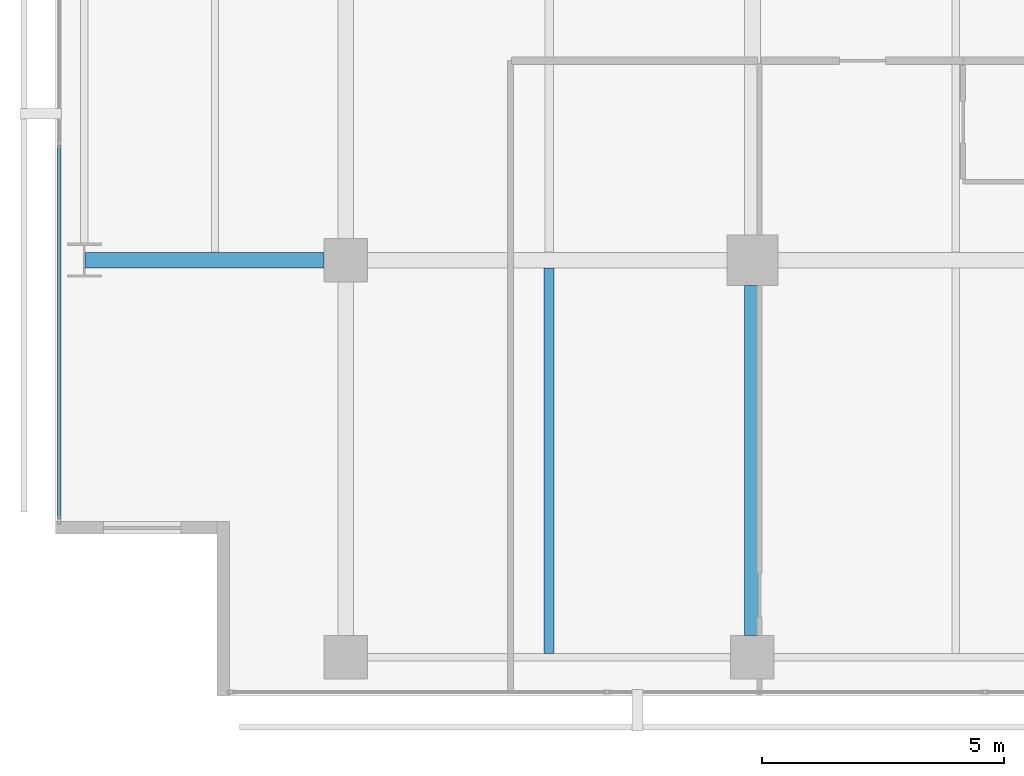
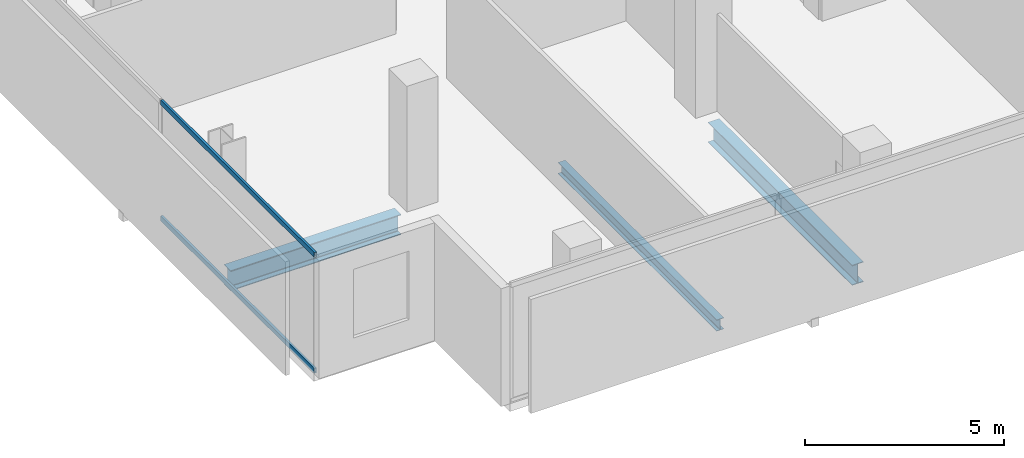
# One storey, part 4 of 39: 3 beams, 2 members, 1 element without a shape of its own.
"""IFC4 building model written with IfcOpenShell, lengths in metres."""

from ifc_helpers import new_model, si_unit, direction, frame, origin, origin_2d, place, context, subcontext, project, spatial, hollow_rectangle, i_section, extrude, material, layer, layer_set, material_profile, profile_set, type_object, element, aggregate, save


model = new_model("IFC4")

# Units and contexts
model_context = context("Model", 3, precision=1e-05, world=origin(), true_north=direction((0.0, 1.0)))
body_context = subcontext(model_context, "Body", "Model", "MODEL_VIEW")
ifc_project = project(units=[si_unit("LENGTHUNIT", "METRE"), si_unit("AREAUNIT", "SQUARE_METRE"), si_unit("VOLUMEUNIT", "CUBIC_METRE"), si_unit("PLANEANGLEUNIT", "RADIAN"), si_unit("MASSUNIT", "GRAM", prefix="KILO")], contexts=[model_context])

# Site, building, storey
site_placement = place(None, origin())
site = spatial("IfcSite", under=ifc_project, at=site_placement, CompositionType="ELEMENT")
building_placement = place(site_placement, origin())
building = spatial("IfcBuilding", under=site, at=building_placement, Name="Maruvema Waterfront Hotel and Observation Tower", CompositionType="ELEMENT")
storey_placement = place(building_placement, frame((0.0, 0.0, 69.300048828125)))
storey = spatial("IfcBuildingStorey", under=building, at=storey_placement, Name="L16", CompositionType="ELEMENT", Elevation=69.300048828125)

# Curtain wall, members
ifc_material_1 = material(Name="Anodised bronze aluminium and solar-control low-E IGU", Category="aluminium")
ifc_layer = layer(ifc_material_1, 0.159912109375, Name="Zone 1 Bronze Inner Thermal Curtain Wall System CW-02")
ifc_layer_set = layer_set([ifc_layer], Name="Anodised bronze aluminium and solar-control low-E IGU")
curtain_wall_type = type_object("IfcCurtainWallType", Name="Zone 1 Bronze Inner Thermal Curtain Wall System CW-02", PredefinedType="USERDEFINED", material=ifc_layer_set)
curtain_wall_placement = place(storey_placement, origin())
curtain_wall = element("IfcCurtainWall", 1, at=curtain_wall_placement, inside=storey, type_object=curtain_wall_type, Name="L16 Curtain Wall CW-L16-W", ObjectType="UNITISED CURTAIN WALL", PredefinedType="USERDEFINED")
ifc_material_2 = material(Name="Anodised architectural bronze aluminium", Category="aluminium")
ifc_material_profile_1 = material_profile(ifc_material_2, hollow_rectangle(XDim=0.070068359375, YDim=0.14990234375, WallThickness=0.00390625, at=origin_2d()), Name="ALU-T70x150")
ifc_profile_set_1 = profile_set([ifc_material_profile_1], Name="Anodised architectural bronze aluminium")
member_type = type_object("IfcMemberType", Name="Curtain Wall Horizontal Transom ALU-T70x150", PredefinedType="USERDEFINED", material=ifc_profile_set_1)
member_1_placement = place(storey_placement, frame((10.8798828125, 11.3701171875, 0.030029296875), z_axis=(0.0, -1.0, 0.0), x_axis=(1.0, 0.0, 0.0)))
member_1 = element("IfcMember", 2, at=member_1_placement, type_object=member_type, Name="CW-02 transom 6.1", ObjectType="TRANSOM", PredefinedType="USERDEFINED", context=body_context, shape_type="SweptSolid", body=[
    extrude(hollow_rectangle(XDim=0.070068359375, YDim=0.14990234375, WallThickness=0.00390625, at=origin_2d()), origin(), (0.0, 0.0, 1.0), 7.710205078125),
])
member_2_placement = place(storey_placement, frame((10.8798828125, 11.3701171875, 3.579833984375), z_axis=(0.0, -1.0, 0.0), x_axis=(1.0, 0.0, 0.0)))
member_2 = element("IfcMember", 3, at=member_2_placement, type_object=member_type, Name="CW-02 transom 6.2", ObjectType="TRANSOM", PredefinedType="USERDEFINED", context=body_context, shape_type="SweptSolid", body=[
    extrude(hollow_rectangle(XDim=0.070068359375, YDim=0.14990234375, WallThickness=0.00390625, at=origin_2d()), origin(), (0.0, 0.0, 1.0), 7.710205078125),
])
aggregate(curtain_wall, [member_1, member_2])

# Beams
ifc_material_3 = material(Name="Steel ASTM A572 Grade 50", Category="steel")
ifc_material_profile_2 = material_profile(ifc_material_3, i_section(OverallWidth=0.326904296875, OverallDepth=0.6220703125, WebThickness=0.015380859375, FlangeThickness=0.0244140625, FilletRadius=0.01806640625, at=origin_2d()), Name="W610x195.0")
ifc_profile_set_2 = profile_set([ifc_material_profile_2], Name="Steel ASTM A572 Grade 50")
beam_type_1 = type_object("IfcBeamType", Name="Primary Floor Girder W610x195.0", PredefinedType="BEAM", material=ifc_profile_set_2)
beam_1_placement = place(storey_placement, frame((11.4140625, 9.0, -0.551025390625), z_axis=(1.0, 0.0, 0.0), x_axis=(0.0, 1.0, 0.0)))
element("IfcBeam", 4, at=beam_1_placement, inside=storey, type_object=beam_type_1, Name="L16 Floor Girder EW-06", PredefinedType="BEAM", context=body_context, shape_type="SweptSolid", body=[
    extrude(i_section(OverallWidth=0.326904296875, OverallDepth=0.6220703125, WebThickness=0.015380859375, FlangeThickness=0.0244140625, FilletRadius=0.01806640625, at=origin_2d()), origin(), (0.0, 0.0, 1.0), 4.93603515625),
])
beam_2_placement = place(storey_placement, frame((25.199951171875, 1.25, -0.551025390625), z_axis=(0.0, 1.0, 0.0), x_axis=(-1.0, 0.0, 0.0)))
element("IfcBeam", 5, at=beam_2_placement, inside=storey, type_object=beam_type_1, Name="L16 Floor Girder NS-11", PredefinedType="BEAM", context=body_context, shape_type="SweptSolid", body=[
    extrude(i_section(OverallWidth=0.326904296875, OverallDepth=0.6220703125, WebThickness=0.015380859375, FlangeThickness=0.0244140625, FilletRadius=0.01806640625, at=origin_2d()), origin(), (0.0, 0.0, 1.0), 7.22509765625),
])
ifc_material_4 = material(Name="Steel ASTM A572 Grade 50", Category="steel")
ifc_material_profile_3 = material_profile(ifc_material_4, i_section(OverallWidth=0.202880859375, OverallDepth=0.346923828125, WebThickness=0.0078125, FlangeThickness=0.013427734375, FilletRadius=0.014892578125, at=origin_2d()), Name="W360x64.0")
ifc_profile_set_3 = profile_set([ifc_material_profile_3], Name="Steel ASTM A572 Grade 50")
beam_type_2 = type_object("IfcBeamType", Name="Secondary Floor Joist W360x64.0", PredefinedType="JOIST", material=ifc_profile_set_3)
beam_3_placement = place(storey_placement, frame((21.0, 0.87646484375, -0.41357421875), z_axis=(0.0, 1.0, 0.0), x_axis=(-1.0, 0.0, 0.0)))
element("IfcBeam", 6, at=beam_3_placement, inside=storey, type_object=beam_type_2, Name="L16 Secondary Floor Joist JS-05", PredefinedType="JOIST", context=body_context, shape_type="SweptSolid", body=[
    extrude(i_section(OverallWidth=0.202880859375, OverallDepth=0.346923828125, WebThickness=0.0078125, FlangeThickness=0.013427734375, FilletRadius=0.014892578125, at=origin_2d()), origin(), (0.0, 0.0, 1.0), 7.9599609375),
])

save(model, "model.ifc")
